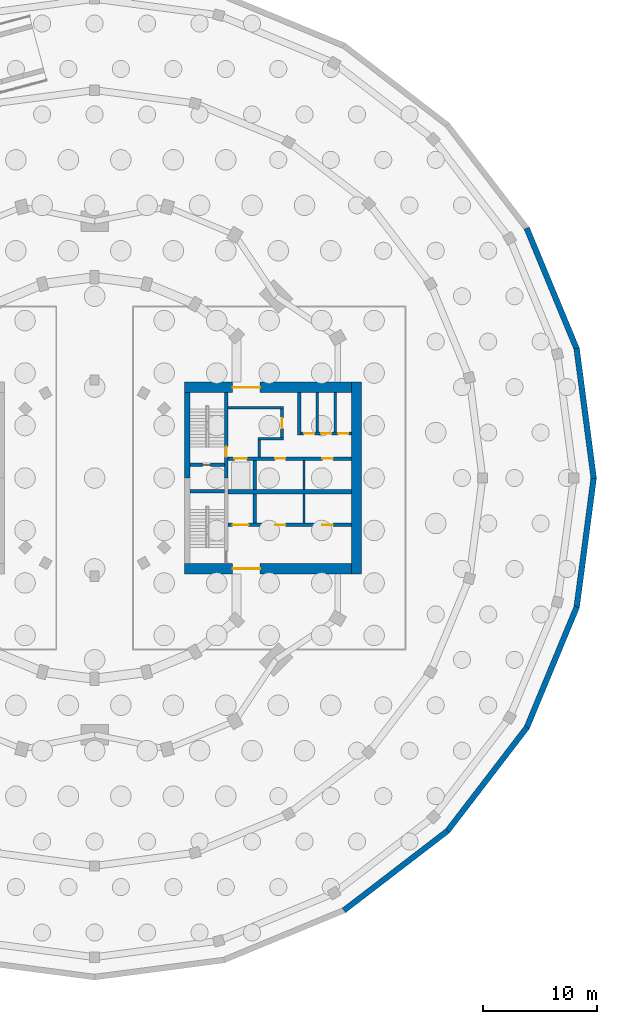
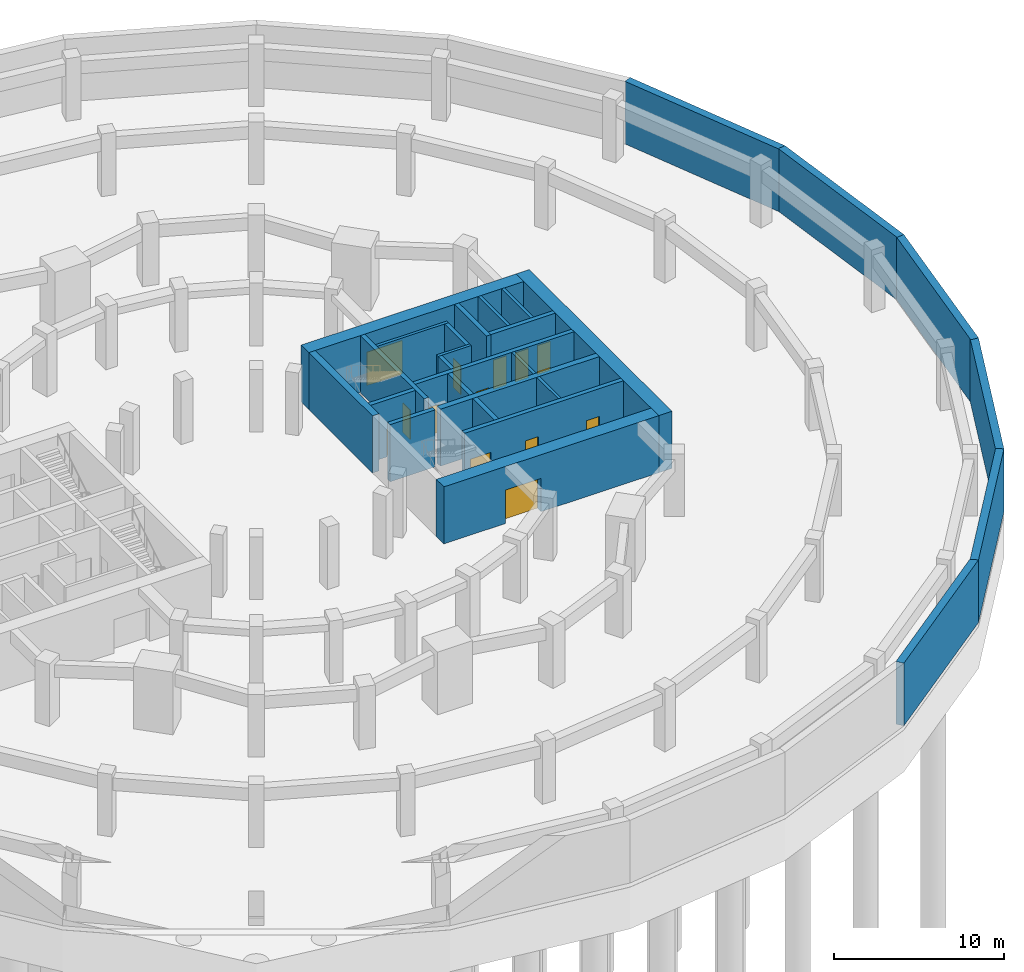
# One storey, part 5 of 9: 28 walls, 14 doors, 14 openings.
"""IFC4 building model written with IfcOpenShell, lengths in metres."""

from ifc_helpers import new_model, si_unit, direction, frame, frame_2d, origin, place, context, subcontext, project, spatial, rectangle, extrude, material, layer, layer_set, type_object, element, fill, save


model = new_model("IFC4")

# Units and contexts
model_context = context("Model", 3, precision=1e-05, world=origin(), true_north=direction((0.0, 1.0)))
body_context = subcontext(model_context, "Body", "Model", "MODEL_VIEW")
ifc_project = project(units=[si_unit("LENGTHUNIT", "METRE"), si_unit("AREAUNIT", "SQUARE_METRE"), si_unit("VOLUMEUNIT", "CUBIC_METRE"), si_unit("PLANEANGLEUNIT", "RADIAN"), si_unit("MASSUNIT", "GRAM", prefix="KILO")], contexts=[model_context])

# Site, building, storey
site_placement = place(None, origin())
site = spatial("IfcSite", under=ifc_project, at=site_placement, CompositionType="ELEMENT")
building_placement = place(site_placement, origin())
building = spatial("IfcBuilding", under=site, at=building_placement, Name="Torre Brocal", CompositionType="ELEMENT")
storey_placement = place(building_placement, frame((0.0, 0.0, -9.0)))
storey = spatial("IfcBuildingStorey", under=building, at=storey_placement, Name="B2", CompositionType="ELEMENT", Elevation=-9.0)

# Walls
ifc_material_1 = material(Name="Masonry block", Category="masonry")
ifc_layer_1 = layer(ifc_material_1, 0.199951171875)
ifc_layer_set_1 = layer_set([ifc_layer_1], Name="Masonry block")
wall_type_1 = type_object("IfcWallType", Name="CORE PARTITION 200 UNDER 400 SLAB", PredefinedType="PARTITIONING", material=ifc_layer_set_1)
for number, where, z_axis, x_axis, name in (
    (1, (98.35009765625, 74.0, 0.0), (0.0, 0.0, 1.0), (0.0, 1.0, 0.0), "Wall CP200-S400"),
    (2, (98.35009765625, 71.050048828125, 0.0), (0.0, 0.0, 1.0), (0.0, 1.0, 0.0), "Wall CP200-S400"),
):
    element("IfcWall", number, at=place(storey_placement, frame(where, z_axis=z_axis, x_axis=x_axis)), inside=storey, type_object=wall_type_1, Name=name, PredefinedType="PARTITIONING", context=body_context, shape_type="SweptSolid", body=[
        extrude(rectangle(XDim=2.550048828125, YDim=0.199951171875, at=frame_2d((1.27490234375, 0.0))), origin(), (0.0, 0.0, 1.0), 4.10009765625),
    ])
for number, where, z_axis, x_axis, name in (
    (3, (99.508056640625, 79.050048828125, 0.0), (0.0, 0.0, 1.0), (0.0, 1.0, 0.0), "Wall CP200-S400"),
    (4, (101.092041015625, 79.050048828125, 0.0), (0.0, 0.0, 1.0), (0.0, 1.0, 0.0), "Wall CP200-S400"),
):
    element("IfcWall", number, at=place(storey_placement, frame(where, z_axis=z_axis, x_axis=x_axis)), inside=storey, type_object=wall_type_1, Name=name, PredefinedType="PARTITIONING", context=body_context, shape_type="SweptSolid", body=[
        extrude(rectangle(XDim=3.449951171875, YDim=0.199951171875, at=frame_2d((1.72509765625, 0.0))), origin(), (0.0, 0.0, 1.0), 4.10009765625),
    ])
ifc_material_2 = material(Name="Concrete C80", Category="concrete")
ifc_layer_2 = layer(ifc_material_2, 0.199951171875)
ifc_layer_set_2 = layer_set([ifc_layer_2], Name="Concrete C80")
wall_type_2 = type_object("IfcWallType", Name="CORE WALL 200 C80 UNDER 400 SLAB", PredefinedType="SHEAR", material=ifc_layer_set_2)
wall_1_placement = place(storey_placement, frame((91.699951171875, 81.14990234375, 0.0), z_axis=(0.0, 0.0, 1.0), x_axis=(1.0, 0.0, 0.0)))
element("IfcWall", 5, at=wall_1_placement, inside=storey, type_object=wall_type_2, Name="Wall CW200-80-S400", PredefinedType="SHEAR", context=body_context, shape_type="SweptSolid", body=[
    extrude(rectangle(XDim=4.85009765625, YDim=0.199951171875, at=frame_2d((2.425048828125, 0.0))), origin(), (0.0, 0.0, 1.0), 4.10009765625),
])
wall_2_placement = place(storey_placement, frame((94.300048828125, 78.449951171875, 0.0), z_axis=(0.0, 0.0, 1.0), x_axis=(1.0, 0.0, 0.0)))
element("IfcWall", 6, at=wall_2_placement, inside=storey, type_object=wall_type_2, Name="Wall CW200-80-S400", PredefinedType="SHEAR", context=body_context, shape_type="SweptSolid", body=[
    extrude(rectangle(XDim=2.25, YDim=0.199951171875, at=frame_2d((1.125, 0.0))), origin(), (0.0, 0.0, 1.0), 4.10009765625),
])

# Wall, opening, door
ifc_material_3 = material(Name="Concrete C80", Category="concrete")
ifc_layer_3 = layer(ifc_material_3, 0.25)
ifc_layer_set_3 = layer_set([ifc_layer_3], Name="Concrete C80")
wall_type_3 = type_object("IfcWallType", Name="CORE WALL 250 C80 UNDER 400 SLAB", PredefinedType="SHEAR", material=ifc_layer_set_3)
wall_3_placement = place(storey_placement, frame((96.425048828125, 78.550048828125, 0.0), z_axis=(0.0, 0.0, 1.0), x_axis=(0.0, 1.0, 0.0)))
wall_3 = element("IfcWall", 7, at=wall_3_placement, inside=storey, type_object=wall_type_3, Name="Wall CW250-80-S400", PredefinedType="SHEAR", context=body_context, shape_type="SweptSolid", body=[
    extrude(rectangle(XDim=2.5, YDim=0.25, at=frame_2d((1.25, 0.0))), origin(), (0.0, 0.0, 1.0), 4.10009765625),
])
opening_1_placement = place(wall_3_placement, frame((0.800048828125, 0.0, 0.0)))
opening_1 = element("IfcOpeningElement", 8, at=opening_1_placement, cuts=wall_3, Name="Opening E-D08", PredefinedType="OPENING", context=body_context, shape_type="SweptSolid", body=[
    extrude(rectangle(XDim=0.89990234375, YDim=2.10009765625, at=frame_2d((0.449951171875, 1.050048828125))), frame((0.0, 0.135009765625, 0.0), z_axis=(0.0, -1.0, 0.0), x_axis=(1.0, 0.0, 0.0)), (0.0, 0.0, 1.0), 0.27001953125),
])
ifc_material_4 = material(Name="Steel A653", Category="steel")
door_type_1 = type_object("IfcDoorType", Name="LOBBY DOOR FD120 900X2100", OperationType="SINGLE_SWING_RIGHT", PredefinedType="DOOR", material=ifc_material_4)
door_1_placement = place(opening_1_placement, origin())
door_1 = element("IfcDoor", 9, at=door_1_placement, inside=storey, type_object=door_type_1, Name="Door E-D08", OperationType="SINGLE_SWING_LEFT", OverallHeight=2.10009765625, OverallWidth=0.89990234375, PredefinedType="DOOR", context=body_context, shape_type="SweptSolid", body=[
    extrude(rectangle(XDim=0.89990234375, YDim=2.10009765625, at=frame_2d((0.449951171875, 1.050048828125))), frame((0.0, 0.02490234375, 0.0), z_axis=(0.0, -1.0, 0.0), x_axis=(1.0, 0.0, 0.0)), (0.0, 0.0, 1.0), 0.050048828125),
])
fill(opening_1, door_1)

# Wall
wall_4_placement = place(storey_placement, frame((94.425048828125, 76.85009765625, 0.0), z_axis=(0.0, 0.0, 1.0), x_axis=(0.0, 1.0, 0.0)))
element("IfcWall", 10, at=wall_4_placement, inside=storey, type_object=wall_type_3, Name="Wall CW250-80-S400", PredefinedType="SHEAR", context=body_context, shape_type="SweptSolid", body=[
    extrude(rectangle(XDim=1.5, YDim=0.25, at=frame_2d((0.75, 0.0))), origin(), (0.0, 0.0, 1.0), 4.10009765625),
])

# Wall, opening, door
ifc_material_5 = material(Name="Concrete C80", Category="concrete")
ifc_layer_4 = layer(ifc_material_5, 0.300048828125)
ifc_layer_set_4 = layer_set([ifc_layer_4], Name="Concrete C80")
wall_type_4 = type_object("IfcWallType", Name="CORE WALL 300 C80 UNDER 400 SLAB", PredefinedType="SHEAR", material=ifc_layer_set_4)
wall_5_placement = place(storey_placement, frame((91.550048828125, 75.0, 0.0), z_axis=(0.0, 0.0, 1.0), x_axis=(0.0, 1.0, 0.0)))
wall_5 = element("IfcWall", 11, at=wall_5_placement, inside=storey, type_object=wall_type_4, Name="Wall CW300-80-S400", PredefinedType="SHEAR", context=body_context, shape_type="SweptSolid", body=[
    extrude(rectangle(XDim=7.5, YDim=0.300048828125, at=frame_2d((3.75, 0.0))), origin(), (0.0, 0.0, 1.0), 4.10009765625),
])
opening_2_placement = place(wall_5_placement, frame((1.85009765625, 0.0, 0.0)))
opening_2 = element("IfcOpeningElement", 12, at=opening_2_placement, cuts=wall_5, Name="Opening E-D02", PredefinedType="OPENING", context=body_context, shape_type="SweptSolid", body=[
    extrude(rectangle(XDim=0.89990234375, YDim=2.10009765625, at=frame_2d((0.449951171875, 1.050048828125))), frame((0.0, 0.159912109375, 0.0), z_axis=(0.0, -1.0, 0.0), x_axis=(1.0, 0.0, 0.0)), (0.0, 0.0, 1.0), 0.320068359375),
])
ifc_material_6 = material(Name="Steel A653", Category="steel")
door_type_2 = type_object("IfcDoorType", Name="STAIR DOOR FD120 900X2100", OperationType="SINGLE_SWING_RIGHT", PredefinedType="DOOR", material=ifc_material_6)
door_2_placement = place(opening_2_placement, origin())
door_2 = element("IfcDoor", 13, at=door_2_placement, inside=storey, type_object=door_type_2, Name="Door E-D02", OperationType="SINGLE_SWING_LEFT", OverallHeight=2.10009765625, OverallWidth=0.89990234375, PredefinedType="DOOR", context=body_context, shape_type="SweptSolid", body=[
    extrude(rectangle(XDim=0.89990234375, YDim=2.10009765625, at=frame_2d((0.449951171875, 1.050048828125))), frame((0.0, 0.02490234375, 0.0), z_axis=(0.0, -1.0, 0.0), x_axis=(1.0, 0.0, 0.0)), (0.0, 0.0, 1.0), 0.050048828125),
])
fill(opening_2, door_2)

wall_6_placement = place(storey_placement, frame((88.35009765625, 76.14990234375, 0.0), z_axis=(0.0, 0.0, 1.0), x_axis=(1.0, 0.0, 0.0)))
wall_6 = element("IfcWall", 14, at=wall_6_placement, inside=storey, type_object=wall_type_4, Name="Wall CW300-80-S400", PredefinedType="SHEAR", context=body_context, shape_type="SweptSolid", body=[
    extrude(rectangle(XDim=3.0498046875, YDim=0.300048828125, at=frame_2d((1.52490234375, 0.0))), origin(), (0.0, 0.0, 1.0), 4.10009765625),
])
opening_3_placement = place(wall_6_placement, frame((1.10009765625, 0.0, 0.0)))
opening_3 = element("IfcOpeningElement", 15, at=opening_3_placement, cuts=wall_6, Name="Opening E-D01", PredefinedType="OPENING", context=body_context, shape_type="SweptSolid", body=[
    extrude(rectangle(XDim=0.699951171875, YDim=2.0, at=frame_2d((0.35009765625, 1.0))), frame((0.0, 0.159912109375, 0.0), z_axis=(0.0, -1.0, 0.0), x_axis=(1.0, 0.0, 0.0)), (0.0, 0.0, 1.0), 0.320068359375),
])
ifc_material_7 = material(Name="Steel A653", Category="steel")
door_type_3 = type_object("IfcDoorType", Name="RISER DOOR FD120 700X2000", OperationType="SINGLE_SWING_LEFT", PredefinedType="DOOR", material=ifc_material_7)
door_3_placement = place(opening_3_placement, frame((0.699951171875, 0.0, 0.0), z_axis=(0.0, 0.0, 1.0), x_axis=(-1.0, 0.0, 0.0)))
door_3 = element("IfcDoor", 16, at=door_3_placement, inside=storey, type_object=door_type_3, Name="Door E-D01", OperationType="SINGLE_SWING_RIGHT", OverallHeight=2.0, OverallWidth=0.699951171875, PredefinedType="DOOR", context=body_context, shape_type="SweptSolid", body=[
    extrude(rectangle(XDim=0.699951171875, YDim=2.0, at=frame_2d((0.35009765625, 1.0))), frame((0.0, 0.02490234375, 0.0), z_axis=(0.0, -1.0, 0.0), x_axis=(1.0, 0.0, 0.0)), (0.0, 0.0, 1.0), 0.050048828125),
])
fill(opening_3, door_3)

# Wall
wall_7_placement = place(storey_placement, frame((88.35009765625, 73.85009765625, 0.0), z_axis=(0.0, 0.0, 1.0), x_axis=(1.0, 0.0, 0.0)))
element("IfcWall", 17, at=wall_7_placement, inside=storey, type_object=wall_type_4, Name="Wall CW300-80-S400", PredefinedType="SHEAR", context=body_context, shape_type="SweptSolid", body=[
    extrude(rectangle(XDim=3.0498046875, YDim=0.300048828125, at=frame_2d((1.52490234375, 0.0))), origin(), (0.0, 0.0, 1.0), 4.10009765625),
])

# Wall, openings, doors
wall_8_placement = place(storey_placement, frame((91.699951171875, 76.699951171875, 0.0), z_axis=(0.0, 0.0, 1.0), x_axis=(1.0, 0.0, 0.0)))
wall_8 = element("IfcWall", 18, at=wall_8_placement, inside=storey, type_object=wall_type_4, Name="Wall CW300-80-S400", PredefinedType="SHEAR", context=body_context, shape_type="SweptSolid", body=[
    extrude(rectangle(XDim=10.800048828125, YDim=0.300048828125, at=frame_2d((5.39990234375, 0.0))), origin(), (0.0, 0.0, 1.0), 4.10009765625),
])
opening_4_placement = place(wall_8_placement, frame((0.550048828125, 0.0, 0.0)))
opening_4 = element("IfcOpeningElement", 19, at=opening_4_placement, cuts=wall_8, Name="Opening LD", PredefinedType="OPENING", context=body_context, shape_type="SweptSolid", body=[
    extrude(rectangle(XDim=1.10009765625, YDim=2.10009765625, at=frame_2d((0.550048828125, 1.050048828125))), frame((0.0, 0.159912109375, 0.0), z_axis=(0.0, -1.0, 0.0), x_axis=(1.0, 0.0, 0.0)), (0.0, 0.0, 1.0), 0.320068359375),
])
opening_5_placement = place(wall_8_placement, frame((4.125, 0.0, 0.0)))
opening_5 = element("IfcOpeningElement", 20, at=opening_5_placement, cuts=wall_8, Name="Opening E-D04", PredefinedType="OPENING", context=body_context, shape_type="SweptSolid", body=[
    extrude(rectangle(XDim=0.89990234375, YDim=2.10009765625, at=frame_2d((0.449951171875, 1.050048828125))), frame((0.0, 0.159912109375, 0.0), z_axis=(0.0, -1.0, 0.0), x_axis=(1.0, 0.0, 0.0)), (0.0, 0.0, 1.0), 0.320068359375),
])
opening_6_placement = place(wall_8_placement, frame((8.27490234375, 0.0, 0.0)))
opening_6 = element("IfcOpeningElement", 21, at=opening_6_placement, cuts=wall_8, Name="Opening E-D05", PredefinedType="OPENING", context=body_context, shape_type="SweptSolid", body=[
    extrude(rectangle(XDim=0.89990234375, YDim=2.10009765625, at=frame_2d((0.449951171875, 1.050048828125))), frame((0.0, 0.159912109375, 0.0), z_axis=(0.0, -1.0, 0.0), x_axis=(1.0, 0.0, 0.0)), (0.0, 0.0, 1.0), 0.320068359375),
])
ifc_material_8 = material(Name="Stainless steel AISI 316", Category="steel")
door_type_4 = type_object("IfcDoorType", Name="LIFT LANDING DOOR 1100X2100", OperationType="DOUBLE_DOOR_SLIDING", PredefinedType="DOOR", material=ifc_material_8)
door_4_placement = place(opening_4_placement, origin())
door_4 = element("IfcDoor", 22, at=door_4_placement, inside=storey, type_object=door_type_4, Name="Door LD", OperationType="DOUBLE_DOOR_SLIDING", OverallHeight=2.10009765625, OverallWidth=1.10009765625, PredefinedType="DOOR", context=body_context, shape_type="SweptSolid", body=[
    extrude(rectangle(XDim=1.10009765625, YDim=2.10009765625, at=frame_2d((0.550048828125, 1.050048828125))), frame((0.0, 0.02490234375, 0.0), z_axis=(0.0, -1.0, 0.0), x_axis=(1.0, 0.0, 0.0)), (0.0, 0.0, 1.0), 0.050048828125),
])
fill(opening_4, door_4)
ifc_material_9 = material(Name="Steel A653", Category="steel")
door_type_5 = type_object("IfcDoorType", Name="ROOM DOOR FD30S 900X2100", OperationType="SINGLE_SWING_LEFT", PredefinedType="DOOR", material=ifc_material_9)
door_5_placement = place(opening_5_placement, frame((0.89990234375, 0.0, 0.0), z_axis=(0.0, 0.0, 1.0), x_axis=(-1.0, 0.0, 0.0)))
door_5 = element("IfcDoor", 23, at=door_5_placement, inside=storey, type_object=door_type_5, Name="Door E-D04", OperationType="SINGLE_SWING_LEFT", OverallHeight=2.10009765625, OverallWidth=0.89990234375, PredefinedType="DOOR", context=body_context, shape_type="SweptSolid", body=[
    extrude(rectangle(XDim=0.89990234375, YDim=2.10009765625, at=frame_2d((0.449951171875, 1.050048828125))), frame((0.0, 0.02490234375, 0.0), z_axis=(0.0, -1.0, 0.0), x_axis=(1.0, 0.0, 0.0)), (0.0, 0.0, 1.0), 0.050048828125),
])
fill(opening_5, door_5)
door_6_placement = place(opening_6_placement, frame((0.89990234375, 0.0, 0.0), z_axis=(0.0, 0.0, 1.0), x_axis=(-1.0, 0.0, 0.0)))
door_6 = element("IfcDoor", 24, at=door_6_placement, inside=storey, type_object=door_type_5, Name="Door E-D05", OperationType="SINGLE_SWING_LEFT", OverallHeight=2.10009765625, OverallWidth=0.89990234375, PredefinedType="DOOR", context=body_context, shape_type="SweptSolid", body=[
    extrude(rectangle(XDim=0.89990234375, YDim=2.10009765625, at=frame_2d((0.449951171875, 1.050048828125))), frame((0.0, 0.02490234375, 0.0), z_axis=(0.0, -1.0, 0.0), x_axis=(1.0, 0.0, 0.0)), (0.0, 0.0, 1.0), 0.050048828125),
])
fill(opening_6, door_6)

wall_9_placement = place(storey_placement, frame((91.699951171875, 70.89990234375, 0.0), z_axis=(0.0, 0.0, 1.0), x_axis=(1.0, 0.0, 0.0)))
wall_9 = element("IfcWall", 25, at=wall_9_placement, inside=storey, type_object=wall_type_4, Name="Wall CW300-80-S400", PredefinedType="SHEAR", context=body_context, shape_type="SweptSolid", body=[
    extrude(rectangle(XDim=10.800048828125, YDim=0.300048828125, at=frame_2d((5.39990234375, 0.0))), origin(), (0.0, 0.0, 1.0), 4.10009765625),
])
opening_7_placement = place(wall_9_placement, frame((0.39990234375, 0.0, 0.0)))
opening_7 = element("IfcOpeningElement", 26, at=opening_7_placement, cuts=wall_9, Name="Opening LD14", PredefinedType="OPENING", context=body_context, shape_type="SweptSolid", body=[
    extrude(rectangle(XDim=1.39990234375, YDim=2.10009765625, at=frame_2d((0.699951171875, 1.050048828125))), frame((0.0, 0.159912109375, 0.0), z_axis=(0.0, -1.0, 0.0), x_axis=(1.0, 0.0, 0.0)), (0.0, 0.0, 1.0), 0.320068359375),
])
opening_8_placement = place(wall_9_placement, frame((4.125, 0.0, 0.0)))
opening_8 = element("IfcOpeningElement", 27, at=opening_8_placement, cuts=wall_9, Name="Opening E-D06", PredefinedType="OPENING", context=body_context, shape_type="SweptSolid", body=[
    extrude(rectangle(XDim=0.89990234375, YDim=2.10009765625, at=frame_2d((0.449951171875, 1.050048828125))), frame((0.0, 0.159912109375, 0.0), z_axis=(0.0, -1.0, 0.0), x_axis=(1.0, 0.0, 0.0)), (0.0, 0.0, 1.0), 0.320068359375),
])
opening_9_placement = place(wall_9_placement, frame((8.27490234375, 0.0, 0.0)))
opening_9 = element("IfcOpeningElement", 28, at=opening_9_placement, cuts=wall_9, Name="Opening E-D07", PredefinedType="OPENING", context=body_context, shape_type="SweptSolid", body=[
    extrude(rectangle(XDim=0.89990234375, YDim=2.10009765625, at=frame_2d((0.449951171875, 1.050048828125))), frame((0.0, 0.159912109375, 0.0), z_axis=(0.0, -1.0, 0.0), x_axis=(1.0, 0.0, 0.0)), (0.0, 0.0, 1.0), 0.320068359375),
])
ifc_material_10 = material(Name="Stainless steel AISI 316", Category="steel")
door_type_6 = type_object("IfcDoorType", Name="LIFT LANDING DOOR 1400X2100", OperationType="DOUBLE_DOOR_SLIDING", PredefinedType="DOOR", material=ifc_material_10)
door_7_placement = place(opening_7_placement, origin())
door_7 = element("IfcDoor", 29, at=door_7_placement, inside=storey, type_object=door_type_6, Name="Door LD14", OperationType="DOUBLE_DOOR_SLIDING", OverallHeight=2.10009765625, OverallWidth=1.39990234375, PredefinedType="DOOR", context=body_context, shape_type="SweptSolid", body=[
    extrude(rectangle(XDim=1.39990234375, YDim=2.10009765625, at=frame_2d((0.699951171875, 1.050048828125))), frame((0.0, 0.02490234375, 0.0), z_axis=(0.0, -1.0, 0.0), x_axis=(1.0, 0.0, 0.0)), (0.0, 0.0, 1.0), 0.050048828125),
])
fill(opening_7, door_7)
door_8_placement = place(opening_8_placement, origin())
door_8 = element("IfcDoor", 30, at=door_8_placement, inside=storey, type_object=door_type_5, Name="Door E-D06", OperationType="SINGLE_SWING_RIGHT", OverallHeight=2.10009765625, OverallWidth=0.89990234375, PredefinedType="DOOR", context=body_context, shape_type="SweptSolid", body=[
    extrude(rectangle(XDim=0.89990234375, YDim=2.10009765625, at=frame_2d((0.449951171875, 1.050048828125))), frame((0.0, 0.02490234375, 0.0), z_axis=(0.0, -1.0, 0.0), x_axis=(1.0, 0.0, 0.0)), (0.0, 0.0, 1.0), 0.050048828125),
])
fill(opening_8, door_8)
door_9_placement = place(opening_9_placement, origin())
door_9 = element("IfcDoor", 31, at=door_9_placement, inside=storey, type_object=door_type_5, Name="Door E-D07", OperationType="SINGLE_SWING_RIGHT", OverallHeight=2.10009765625, OverallWidth=0.89990234375, PredefinedType="DOOR", context=body_context, shape_type="SweptSolid", body=[
    extrude(rectangle(XDim=0.89990234375, YDim=2.10009765625, at=frame_2d((0.449951171875, 1.050048828125))), frame((0.0, 0.02490234375, 0.0), z_axis=(0.0, -1.0, 0.0), x_axis=(1.0, 0.0, 0.0)), (0.0, 0.0, 1.0), 0.050048828125),
])
fill(opening_9, door_9)

# Walls
for number, where, z_axis, x_axis, name in (
    (32, (94.050048828125, 74.0, 0.0), (0.0, 0.0, 1.0), (0.0, 1.0, 0.0), "Wall CW300-80-S400"),
    (33, (94.050048828125, 71.050048828125, 0.0), (0.0, 0.0, 1.0), (0.0, 1.0, 0.0), "Wall CW300-80-S400"),
):
    element("IfcWall", number, at=place(storey_placement, frame(where, z_axis=z_axis, x_axis=x_axis)), inside=storey, type_object=wall_type_4, Name=name, PredefinedType="SHEAR", context=body_context, shape_type="SweptSolid", body=[
        extrude(rectangle(XDim=2.550048828125, YDim=0.300048828125, at=frame_2d((1.27490234375, 0.0))), origin(), (0.0, 0.0, 1.0), 4.10009765625),
    ])
wall_10_placement = place(storey_placement, frame((97.949951171875, 78.75, 0.0), z_axis=(0.0, 0.0, 1.0), x_axis=(0.0, 1.0, 0.0)))
element("IfcWall", 34, at=wall_10_placement, inside=storey, type_object=wall_type_4, Name="Wall CW300-80-S400", PredefinedType="SHEAR", context=body_context, shape_type="SweptSolid", body=[
    extrude(rectangle(XDim=3.75, YDim=0.300048828125, at=frame_2d((1.875, 0.0))), origin(), (0.0, 0.0, 1.0), 4.10009765625),
])

# Wall, openings, doors
wall_11_placement = place(storey_placement, frame((98.10009765625, 78.89990234375, 0.0), z_axis=(0.0, 0.0, 1.0), x_axis=(1.0, 0.0, 0.0)))
wall_11 = element("IfcWall", 35, at=wall_11_placement, inside=storey, type_object=wall_type_4, Name="Wall CW300-80-S400", PredefinedType="SHEAR", context=body_context, shape_type="SweptSolid", body=[
    extrude(rectangle(XDim=4.39990234375, YDim=0.300048828125, at=frame_2d((2.199951171875, 0.0))), origin(), (0.0, 0.0, 1.0), 4.10009765625),
])
opening_10_placement = place(wall_11_placement, frame((0.25390625, 0.0, 0.0)))
opening_10 = element("IfcOpeningElement", 36, at=opening_10_placement, cuts=wall_11, Name="Opening E-D09", PredefinedType="OPENING", context=body_context, shape_type="SweptSolid", body=[
    extrude(rectangle(XDim=0.89990234375, YDim=2.10009765625, at=frame_2d((0.449951171875, 1.050048828125))), frame((0.0, 0.159912109375, 0.0), z_axis=(0.0, -1.0, 0.0), x_axis=(1.0, 0.0, 0.0)), (0.0, 0.0, 1.0), 0.320068359375),
])
opening_11_placement = place(wall_11_placement, frame((1.75, 0.0, 0.0)))
opening_11 = element("IfcOpeningElement", 37, at=opening_11_placement, cuts=wall_11, Name="Opening E-D10", PredefinedType="OPENING", context=body_context, shape_type="SweptSolid", body=[
    extrude(rectangle(XDim=0.89990234375, YDim=2.10009765625, at=frame_2d((0.449951171875, 1.050048828125))), frame((0.0, 0.159912109375, 0.0), z_axis=(0.0, -1.0, 0.0), x_axis=(1.0, 0.0, 0.0)), (0.0, 0.0, 1.0), 0.320068359375),
])
opening_12_placement = place(wall_11_placement, frame((3.24609375, 0.0, 0.0)))
opening_12 = element("IfcOpeningElement", 38, at=opening_12_placement, cuts=wall_11, Name="Opening E-D11", PredefinedType="OPENING", context=body_context, shape_type="SweptSolid", body=[
    extrude(rectangle(XDim=0.89990234375, YDim=2.10009765625, at=frame_2d((0.449951171875, 1.050048828125))), frame((0.0, 0.159912109375, 0.0), z_axis=(0.0, -1.0, 0.0), x_axis=(1.0, 0.0, 0.0)), (0.0, 0.0, 1.0), 0.320068359375),
])
door_10_placement = place(opening_10_placement, origin())
door_10 = element("IfcDoor", 39, at=door_10_placement, inside=storey, type_object=door_type_5, Name="Door E-D09", OperationType="SINGLE_SWING_RIGHT", OverallHeight=2.10009765625, OverallWidth=0.89990234375, PredefinedType="DOOR", context=body_context, shape_type="SweptSolid", body=[
    extrude(rectangle(XDim=0.89990234375, YDim=2.10009765625, at=frame_2d((0.449951171875, 1.050048828125))), frame((0.0, 0.02490234375, 0.0), z_axis=(0.0, -1.0, 0.0), x_axis=(1.0, 0.0, 0.0)), (0.0, 0.0, 1.0), 0.050048828125),
])
fill(opening_10, door_10)
door_11_placement = place(opening_11_placement, origin())
door_11 = element("IfcDoor", 40, at=door_11_placement, inside=storey, type_object=door_type_5, Name="Door E-D10", OperationType="SINGLE_SWING_LEFT", OverallHeight=2.10009765625, OverallWidth=0.89990234375, PredefinedType="DOOR", context=body_context, shape_type="SweptSolid", body=[
    extrude(rectangle(XDim=0.89990234375, YDim=2.10009765625, at=frame_2d((0.449951171875, 1.050048828125))), frame((0.0, 0.02490234375, 0.0), z_axis=(0.0, -1.0, 0.0), x_axis=(1.0, 0.0, 0.0)), (0.0, 0.0, 1.0), 0.050048828125),
])
fill(opening_11, door_11)
door_12_placement = place(opening_12_placement, origin())
door_12 = element("IfcDoor", 41, at=door_12_placement, inside=storey, type_object=door_type_5, Name="Door E-D11", OperationType="SINGLE_SWING_LEFT", OverallHeight=2.10009765625, OverallWidth=0.89990234375, PredefinedType="DOOR", context=body_context, shape_type="SweptSolid", body=[
    extrude(rectangle(XDim=0.89990234375, YDim=2.10009765625, at=frame_2d((0.449951171875, 1.050048828125))), frame((0.0, 0.02490234375, 0.0), z_axis=(0.0, -1.0, 0.0), x_axis=(1.0, 0.0, 0.0)), (0.0, 0.0, 1.0), 0.050048828125),
])
fill(opening_12, door_12)

# Walls
ifc_material_11 = material(Name="Concrete C80", Category="concrete")
ifc_layer_5 = layer(ifc_material_11, 0.39990234375)
ifc_layer_set_5 = layer_set([ifc_layer_5], Name="Concrete C80")
wall_type_5 = type_object("IfcWallType", Name="CORE WALL 400 C80 UNDER 400 SLAB", PredefinedType="SHEAR", material=ifc_layer_set_5)
wall_12_placement = place(storey_placement, frame((91.699951171875, 73.800048828125, 0.0), z_axis=(0.0, 0.0, 1.0), x_axis=(1.0, 0.0, 0.0)))
element("IfcWall", 42, at=wall_12_placement, inside=storey, type_object=wall_type_5, Name="Wall CW400-80-S400", PredefinedType="SHEAR", context=body_context, shape_type="SweptSolid", body=[
    extrude(rectangle(XDim=10.800048828125, YDim=0.39990234375, at=frame_2d((5.39990234375, 0.0))), origin(), (0.0, 0.0, 1.0), 4.10009765625),
])
ifc_material_12 = material(Name="Concrete C80", Category="concrete")
ifc_layer_6 = layer(ifc_material_12, 0.449951171875)
ifc_layer_set_6 = layer_set([ifc_layer_6], Name="Concrete C80")
wall_type_6 = type_object("IfcWallType", Name="CORE WALL 450 C80 UNDER 400 SLAB", PredefinedType="SHEAR", material=ifc_layer_set_6)
wall_13_placement = place(storey_placement, frame((88.125, 75.0, 0.0), z_axis=(0.0, 0.0, 1.0), x_axis=(0.0, 1.0, 0.0)))
element("IfcWall", 43, at=wall_13_placement, inside=storey, type_object=wall_type_6, Name="Wall CW450-80-S400", PredefinedType="SHEAR", context=body_context, shape_type="SweptSolid", body=[
    extrude(rectangle(XDim=7.5, YDim=0.449951171875, at=frame_2d((3.75, 0.0))), origin(), (0.0, 0.0, 1.0), 4.10009765625),
])

# Wall, opening, door
ifc_material_13 = material(Name="Concrete C80", Category="concrete")
ifc_layer_7 = layer(ifc_material_13, 0.89990234375)
ifc_layer_set_7 = layer_set([ifc_layer_7], Name="Concrete C80")
wall_type_7 = type_object("IfcWallType", Name="CORE WALL 900 C80 UNDER 400 SLAB", PredefinedType="SHEAR", material=ifc_layer_set_7)
wall_14_placement = place(storey_placement, frame((87.89990234375, 82.949951171875, 0.0), z_axis=(0.0, 0.0, 1.0), x_axis=(1.0, 0.0, 0.0)))
wall_14 = element("IfcWall", 44, at=wall_14_placement, inside=storey, type_object=wall_type_7, Name="Wall CW900-80-S400", PredefinedType="SHEAR", context=body_context, shape_type="SweptSolid", body=[
    extrude(rectangle(XDim=14.60009765625, YDim=0.89990234375, at=frame_2d((7.300048828125, 0.0))), origin(), (0.0, 0.0, 1.0), 4.10009765625),
])
opening_13_placement = place(wall_14_placement, frame((4.199951171875, 0.0, 0.0)))
opening_13 = element("IfcOpeningElement", 45, at=opening_13_placement, cuts=wall_14, Name="Opening E-D12", PredefinedType="OPENING", context=body_context, shape_type="SweptSolid", body=[
    extrude(rectangle(XDim=2.39990234375, YDim=2.39990234375, at=frame_2d((1.199951171875, 1.199951171875))), frame((0.0, 0.4599609375, 0.0), z_axis=(0.0, -1.0, 0.0), x_axis=(1.0, 0.0, 0.0)), (0.0, 0.0, 1.0), 0.919921875),
])
ifc_material_14 = material(Name="Steel A653", Category="steel")
door_type_7 = type_object("IfcDoorType", Name="DOUBLE FIRE DOOR FD90 2400X2400", OperationType="DOUBLE_DOOR_SINGLE_SWING", PredefinedType="DOOR", material=ifc_material_14)
door_13_placement = place(opening_13_placement, frame((2.39990234375, 0.0, 0.0), z_axis=(0.0, 0.0, 1.0), x_axis=(-1.0, 0.0, 0.0)))
door_13 = element("IfcDoor", 46, at=door_13_placement, inside=storey, type_object=door_type_7, Name="Door E-D12", OperationType="DOUBLE_DOOR_SINGLE_SWING", OverallHeight=2.39990234375, OverallWidth=2.39990234375, PredefinedType="DOOR", context=body_context, shape_type="SweptSolid", body=[
    extrude(rectangle(XDim=2.39990234375, YDim=2.39990234375, at=frame_2d((1.199951171875, 1.199951171875))), frame((0.0, 0.02490234375, 0.0), z_axis=(0.0, -1.0, 0.0), x_axis=(1.0, 0.0, 0.0)), (0.0, 0.0, 1.0), 0.050048828125),
])
fill(opening_13, door_13)

wall_15_placement = place(storey_placement, frame((87.89990234375, 67.050048828125, 0.0), z_axis=(0.0, 0.0, 1.0), x_axis=(1.0, 0.0, 0.0)))
wall_15 = element("IfcWall", 47, at=wall_15_placement, inside=storey, type_object=wall_type_7, Name="Wall CW900-80-S400", PredefinedType="SHEAR", context=body_context, shape_type="SweptSolid", body=[
    extrude(rectangle(XDim=14.60009765625, YDim=0.89990234375, at=frame_2d((7.300048828125, 0.0))), origin(), (0.0, 0.0, 1.0), 4.10009765625),
])
opening_14_placement = place(wall_15_placement, frame((4.199951171875, 0.0, 0.0)))
opening_14 = element("IfcOpeningElement", 48, at=opening_14_placement, cuts=wall_15, Name="Opening E-D13", PredefinedType="OPENING", context=body_context, shape_type="SweptSolid", body=[
    extrude(rectangle(XDim=2.39990234375, YDim=2.39990234375, at=frame_2d((1.199951171875, 1.199951171875))), frame((0.0, 0.4599609375, 0.0), z_axis=(0.0, -1.0, 0.0), x_axis=(1.0, 0.0, 0.0)), (0.0, 0.0, 1.0), 0.919921875),
])
door_14_placement = place(opening_14_placement, origin())
door_14 = element("IfcDoor", 49, at=door_14_placement, inside=storey, type_object=door_type_7, Name="Door E-D13", OperationType="DOUBLE_DOOR_SINGLE_SWING", OverallHeight=2.39990234375, OverallWidth=2.39990234375, PredefinedType="DOOR", context=body_context, shape_type="SweptSolid", body=[
    extrude(rectangle(XDim=2.39990234375, YDim=2.39990234375, at=frame_2d((1.199951171875, 1.199951171875))), frame((0.0, 0.02490234375, 0.0), z_axis=(0.0, -1.0, 0.0), x_axis=(1.0, 0.0, 0.0)), (0.0, 0.0, 1.0), 0.050048828125),
])
fill(opening_14, door_14)

# Walls
wall_16_placement = place(storey_placement, frame((102.949951171875, 66.60009765625, 0.0), z_axis=(0.0, 0.0, 1.0), x_axis=(0.0, 1.0, 0.0)))
element("IfcWall", 50, at=wall_16_placement, inside=storey, type_object=wall_type_7, Name="Wall CW900-80-S400", PredefinedType="SHEAR", context=body_context, shape_type="SweptSolid", body=[
    extrude(rectangle(XDim=16.7998046875, YDim=0.89990234375, at=frame_2d((8.39990234375, 0.0))), origin(), (0.0, 0.0, 1.0), 4.10009765625),
])
ifc_material_15 = material(Name="Concrete C45", Category="concrete")
ifc_layer_8 = layer(ifc_material_15, 0.5)
ifc_layer_set_8 = layer_set([ifc_layer_8], Name="Concrete C45")
wall_type_8 = type_object("IfcWallType", Name="RC RETAINING WALL 500 C45", PredefinedType="STANDARD", material=ifc_layer_set_8)
wall_17_placement = place(storey_placement, frame((123.752197265625, 74.96728515625, 0.0), z_axis=(0.0, 0.0, 1.0), x_axis=(-0.130524888474, 0.991445033014, 0.0)))
element("IfcWall", 51, at=wall_17_placement, inside=storey, type_object=wall_type_8, Name="Wall RW-1", PredefinedType="STANDARD", context=body_context, shape_type="SweptSolid", body=[
    extrude(rectangle(XDim=11.486328125, YDim=0.5, at=frame_2d((5.7431640625, 0.0))), origin(), (0.0, 0.0, 1.0), 4.5),
])
for number, where, z_axis, x_axis, name in (
    (52, (122.269775390625, 86.29248046875, 0.0), (0.0, 0.0, 1.0), (-0.382679682269, 0.923881085843, 0.0), "Wall RW-1"),
    (53, (101.847900390625, 37.09326171875, 0.0), (0.0, 0.0, 1.0), (0.793348000447, 0.608768387966, 0.0), "Wall RW-1"),
    (54, (110.914306640625, 44.03955078125, 0.0), (0.0, 0.0, 1.0), (0.608768387966, 0.793348000447, 0.0), "Wall RW-1"),
    (55, (117.874267578125, 53.095703125, 0.0), (0.0, 0.0, 1.0), (0.382679682269, 0.923881085843, 0.0), "Wall RW-1"),
):
    element("IfcWall", number, at=place(storey_placement, frame(where, z_axis=z_axis, x_axis=x_axis)), inside=storey, type_object=wall_type_8, Name=name, PredefinedType="STANDARD", context=body_context, shape_type="SweptSolid", body=[
        extrude(rectangle(XDim=11.486083984375, YDim=0.5, at=frame_2d((5.7431640625, 0.0))), origin(), (0.0, 0.0, 1.0), 4.5),
    ])
wall_18_placement = place(storey_placement, frame((122.2529296875, 63.64453125, 0.0), z_axis=(0.0, 0.0, 1.0), x_axis=(0.130524888474, 0.991445033014, 0.0)))
element("IfcWall", 56, at=wall_18_placement, inside=storey, type_object=wall_type_8, Name="Wall RW-1", PredefinedType="STANDARD", context=body_context, shape_type="SweptSolid", body=[
    extrude(rectangle(XDim=11.486328125, YDim=0.5, at=frame_2d((5.7431640625, 0.0))), origin(), (0.0, 0.0, 1.0), 4.5),
])

save(model, "model.ifc")
